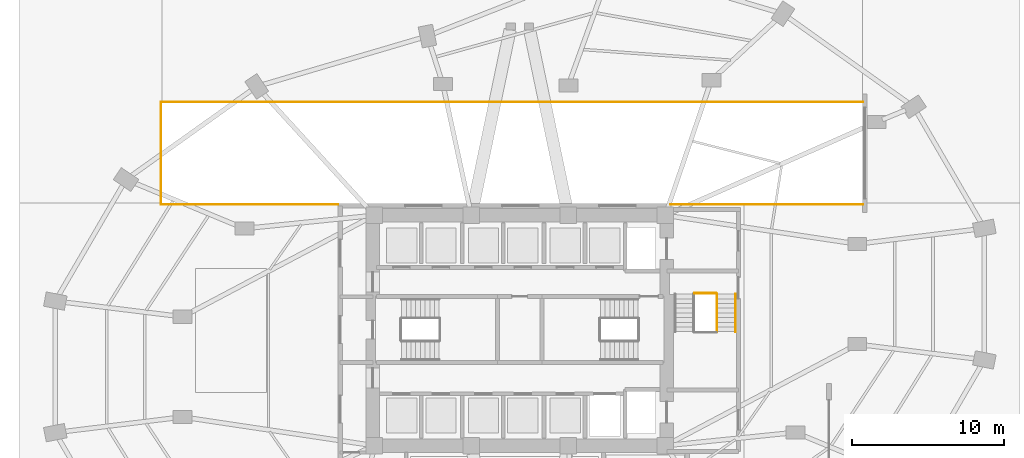
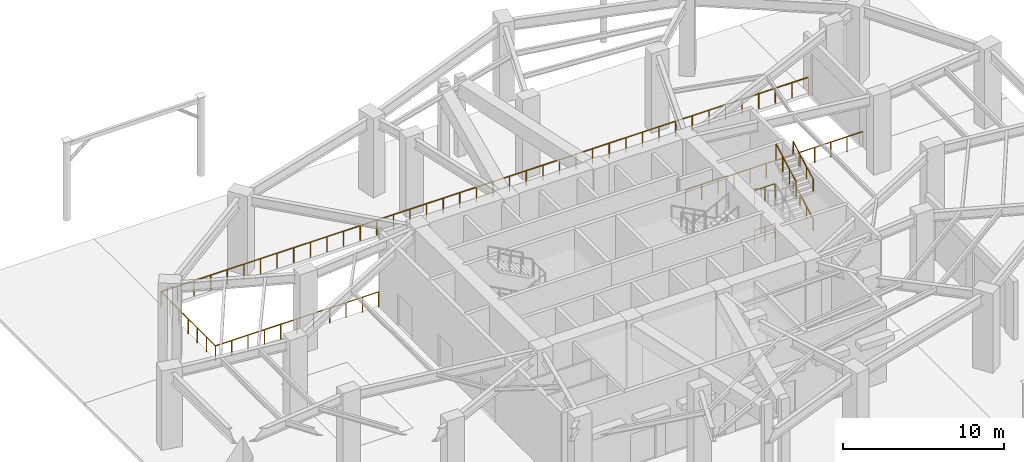
# One storey, part 13 of 14: 9 railings.
"""IFC4 building model written with IfcOpenShell, lengths in metres."""

from ifc_helpers import new_model, si_unit, direction, frame, origin, origin_2d, place, context, subcontext, project, spatial, circle, extrude, material, type_object, element, save


model = new_model("IFC4")

# Units and contexts
model_context = context("Model", 3, precision=1e-05, world=origin(), true_north=direction((0.0, 1.0)))
body_context = subcontext(model_context, "Body", "Model", "MODEL_VIEW")
ifc_project = project(units=[si_unit("LENGTHUNIT", "METRE"), si_unit("AREAUNIT", "SQUARE_METRE"), si_unit("VOLUMEUNIT", "CUBIC_METRE"), si_unit("PLANEANGLEUNIT", "RADIAN"), si_unit("MASSUNIT", "GRAM", prefix="KILO")], contexts=[model_context])

# Site, building, storey
site_placement = place(None, origin())
site = spatial("IfcSite", under=ifc_project, at=site_placement, CompositionType="ELEMENT")
building_placement = place(site_placement, origin())
building = spatial("IfcBuilding", under=site, at=building_placement, Name="Lazwardi Medical Tower", CompositionType="ELEMENT")
storey_placement = place(building_placement, origin())
storey = spatial("IfcBuildingStorey", under=building, at=storey_placement, Name="L00", CompositionType="ELEMENT", Elevation=0.0)

# Railings
ifc_material = material(Name="Stainless steel Grade 316", Category="steel")
railing_type_1 = type_object("IfcRailingType", Name="RLG-GRD-1150", PredefinedType="GUARDRAIL", material=ifc_material)
railing_1_placement = place(storey_placement, frame((47.52001953125, 30.449951171875, 3.0)))
element("IfcRailing", 1, at=railing_1_placement, inside=storey, type_object=railing_type_1, Name="L00 ST3 stair guard 4", PredefinedType="GUARDRAIL", context=body_context, shape_type="SweptSolid", body=[
    extrude(circle(Radius=0.02392578125, at=origin_2d()), frame((0.0, 0.0, 1.1259765625), z_axis=(1.0, 0.0, 0.0), x_axis=(0.0, 1.0, 0.0)), (0.0, 0.0, 1.0), 1.43994140625),
    extrude(circle(Radius=0.02099609375, at=origin_2d()), origin(), (0.0, 0.0, 1.0), 1.099853515625),
    extrude(circle(Radius=0.02099609375, at=origin_2d()), frame((0.719970703125, 0.0, 0.0)), (0.0, 0.0, 1.0), 1.099853515625),
    extrude(circle(Radius=0.02099609375, at=origin_2d()), frame((1.43994140625, 0.0, 0.0)), (0.0, 0.0, 1.0), 1.099853515625),
])
railing_2_placement = place(storey_placement, frame((49.010009765625, 27.919921875, 4.666748046875)))
element("IfcRailing", 2, at=railing_2_placement, inside=storey, type_object=railing_type_1, Name="L00 ST3 stair guard 7", PredefinedType="GUARDRAIL", context=body_context, shape_type="SweptSolid", body=[
    extrude(circle(Radius=0.02392578125, at=origin_2d()), frame((0.0, 0.0, 1.1259765625), z_axis=(0.0, 0.880785522881, 0.473515430248), x_axis=(-1.0, 0.0, 0.0)), (0.0, 0.0, 1.0), 2.815673828125),
    extrude(circle(Radius=0.02099609375, at=origin_2d()), origin(), (0.0, 0.0, 1.0), 1.099853515625),
    extrude(circle(Radius=0.02099609375, at=origin_2d()), frame((0.0, 0.82666015625, 0.4443359375)), (0.0, 0.0, 1.0), 1.099853515625),
    extrude(circle(Radius=0.02099609375, at=origin_2d()), frame((0.0, 1.6533203125, 0.888916015625)), (0.0, 0.0, 1.0), 1.099853515625),
    extrude(circle(Radius=0.02099609375, at=origin_2d()), frame((0.0, 2.47998046875, 1.333251953125)), (0.0, 0.0, 1.0), 1.099853515625),
])
railing_3_placement = place(storey_placement, frame((47.52001953125, 30.449951171875, 0.0)))
element("IfcRailing", 3, at=railing_3_placement, inside=storey, type_object=railing_type_1, Name="L00 ST3 stair guard 8", PredefinedType="GUARDRAIL", context=body_context, shape_type="SweptSolid", body=[
    extrude(circle(Radius=0.02392578125, at=origin_2d()), frame((0.0, 0.0, 1.1259765625), z_axis=(1.0, 0.0, 0.0), x_axis=(0.0, 1.0, 0.0)), (0.0, 0.0, 1.0), 1.43994140625),
    extrude(circle(Radius=0.02099609375, at=origin_2d()), origin(), (0.0, 0.0, 1.0), 1.099853515625),
    extrude(circle(Radius=0.02099609375, at=origin_2d()), frame((0.719970703125, 0.0, 0.0)), (0.0, 0.0, 1.0), 1.099853515625),
    extrude(circle(Radius=0.02099609375, at=origin_2d()), frame((1.43994140625, 0.0, 0.0)), (0.0, 0.0, 1.0), 1.099853515625),
])
railing_4_placement = place(storey_placement, frame((24.0, 36.320068359375, 0.0)))
element("IfcRailing", 4, at=railing_4_placement, inside=storey, type_object=railing_type_1, Name="L00 Car Park Ramp Void Perimeter Guard S_W", PredefinedType="GUARDRAIL", context=body_context, shape_type="SweptSolid", body=[
    extrude(circle(Radius=0.02392578125, at=origin_2d()), frame((0.0, 0.0, 1.1259765625), z_axis=(-1.0, 0.0, 0.0), x_axis=(0.0, -1.0, 0.0)), (0.0, 0.0, 1.0), 11.679931640625),
    extrude(circle(Radius=0.02099609375, at=origin_2d()), origin(), (0.0, 0.0, 1.0), 1.099853515625),
    extrude(circle(Radius=0.02099609375, at=origin_2d()), frame((-1.16796875, 0.0, 0.0)), (0.0, 0.0, 1.0), 1.099853515625),
    extrude(circle(Radius=0.02099609375, at=origin_2d()), frame((-2.3359375, 0.0, 0.0)), (0.0, 0.0, 1.0), 1.099853515625),
    extrude(circle(Radius=0.02099609375, at=origin_2d()), frame((-3.50390625, 0.0, 0.0)), (0.0, 0.0, 1.0), 1.099853515625),
    extrude(circle(Radius=0.02099609375, at=origin_2d()), frame((-4.671875, 0.0, 0.0)), (0.0, 0.0, 1.0), 1.099853515625),
    extrude(circle(Radius=0.02099609375, at=origin_2d()), frame((-5.83984375, 0.0, 0.0)), (0.0, 0.0, 1.0), 1.099853515625),
    extrude(circle(Radius=0.02099609375, at=origin_2d()), frame((-7.008056640625, 0.0, 0.0)), (0.0, 0.0, 1.0), 1.099853515625),
    extrude(circle(Radius=0.02099609375, at=origin_2d()), frame((-8.176025390625, 0.0, 0.0)), (0.0, 0.0, 1.0), 1.099853515625),
    extrude(circle(Radius=0.02099609375, at=origin_2d()), frame((-9.343994140625, 0.0, 0.0)), (0.0, 0.0, 1.0), 1.099853515625),
    extrude(circle(Radius=0.02099609375, at=origin_2d()), frame((-10.511962890625, 0.0, 0.0)), (0.0, 0.0, 1.0), 1.099853515625),
    extrude(circle(Radius=0.02099609375, at=origin_2d()), frame((-11.679931640625, 0.0, 0.0)), (0.0, 0.0, 1.0), 1.099853515625),
])
railing_5_placement = place(storey_placement, frame((58.64990234375, 36.320068359375, 0.0)))
element("IfcRailing", 5, at=railing_5_placement, inside=storey, type_object=railing_type_1, Name="L00 Car Park Ramp Void Perimeter Guard S_E", PredefinedType="GUARDRAIL", context=body_context, shape_type="SweptSolid", body=[
    extrude(circle(Radius=0.02392578125, at=origin_2d()), frame((0.0, 0.0, 1.1259765625), z_axis=(-1.0, 0.0, 0.0), x_axis=(0.0, -1.0, 0.0)), (0.0, 0.0, 1.0), 12.699951171875),
    extrude(circle(Radius=0.02099609375, at=origin_2d()), origin(), (0.0, 0.0, 1.0), 1.099853515625),
    extrude(circle(Radius=0.02099609375, at=origin_2d()), frame((-1.154541015625, 0.0, 0.0)), (0.0, 0.0, 1.0), 1.099853515625),
    extrude(circle(Radius=0.02099609375, at=origin_2d()), frame((-2.30908203125, 0.0, 0.0)), (0.0, 0.0, 1.0), 1.099853515625),
    extrude(circle(Radius=0.02099609375, at=origin_2d()), frame((-3.463623046875, 0.0, 0.0)), (0.0, 0.0, 1.0), 1.099853515625),
    extrude(circle(Radius=0.02099609375, at=origin_2d()), frame((-4.6181640625, 0.0, 0.0)), (0.0, 0.0, 1.0), 1.099853515625),
    extrude(circle(Radius=0.02099609375, at=origin_2d()), frame((-5.772705078125, 0.0, 0.0)), (0.0, 0.0, 1.0), 1.099853515625),
    extrude(circle(Radius=0.02099609375, at=origin_2d()), frame((-6.92724609375, 0.0, 0.0)), (0.0, 0.0, 1.0), 1.099853515625),
    extrude(circle(Radius=0.02099609375, at=origin_2d()), frame((-8.081787109375, 0.0, 0.0)), (0.0, 0.0, 1.0), 1.099853515625),
    extrude(circle(Radius=0.02099609375, at=origin_2d()), frame((-9.236328125, 0.0, 0.0)), (0.0, 0.0, 1.0), 1.099853515625),
    extrude(circle(Radius=0.02099609375, at=origin_2d()), frame((-10.390869140625, 0.0, 0.0)), (0.0, 0.0, 1.0), 1.099853515625),
    extrude(circle(Radius=0.02099609375, at=origin_2d()), frame((-11.54541015625, 0.0, 0.0)), (0.0, 0.0, 1.0), 1.099853515625),
    extrude(circle(Radius=0.02099609375, at=origin_2d()), frame((-12.699951171875, 0.0, 0.0)), (0.0, 0.0, 1.0), 1.099853515625),
])
railing_6_placement = place(storey_placement, frame((12.320068359375, 36.320068359375, 0.0)))
element("IfcRailing", 6, at=railing_6_placement, inside=storey, type_object=railing_type_1, Name="L00 Car Park Ramp Void Perimeter Guard W", PredefinedType="GUARDRAIL", context=body_context, shape_type="SweptSolid", body=[
    extrude(circle(Radius=0.02392578125, at=origin_2d()), frame((0.0, 0.0, 1.1259765625), z_axis=(0.0, 1.0, 0.0), x_axis=(-1.0, 0.0, 0.0)), (0.0, 0.0, 1.0), 6.760009765625),
    extrude(circle(Radius=0.02099609375, at=origin_2d()), origin(), (0.0, 0.0, 1.0), 1.099853515625),
    extrude(circle(Radius=0.02099609375, at=origin_2d()), frame((0.0, 1.126708984375, 0.0)), (0.0, 0.0, 1.0), 1.099853515625),
    extrude(circle(Radius=0.02099609375, at=origin_2d()), frame((0.0, 2.25341796875, 0.0)), (0.0, 0.0, 1.0), 1.099853515625),
    extrude(circle(Radius=0.02099609375, at=origin_2d()), frame((0.0, 3.3798828125, 0.0)), (0.0, 0.0, 1.0), 1.099853515625),
    extrude(circle(Radius=0.02099609375, at=origin_2d()), frame((0.0, 4.506591796875, 0.0)), (0.0, 0.0, 1.0), 1.099853515625),
    extrude(circle(Radius=0.02099609375, at=origin_2d()), frame((0.0, 5.63330078125, 0.0)), (0.0, 0.0, 1.0), 1.099853515625),
    extrude(circle(Radius=0.02099609375, at=origin_2d()), frame((0.0, 6.760009765625, 0.0)), (0.0, 0.0, 1.0), 1.099853515625),
])
railing_7_placement = place(storey_placement, frame((12.320068359375, 43.080078125, 0.0)))
element("IfcRailing", 7, at=railing_7_placement, inside=storey, type_object=railing_type_1, Name="L00 Car Park Ramp Void Perimeter Guard N", PredefinedType="GUARDRAIL", context=body_context, shape_type="SweptSolid", body=[
    extrude(circle(Radius=0.02392578125, at=origin_2d()), frame((0.0, 0.0, 1.1259765625), z_axis=(1.0, 0.0, 0.0), x_axis=(0.0, 1.0, 0.0)), (0.0, 0.0, 1.0), 46.329833984375),
    extrude(circle(Radius=0.02099609375, at=origin_2d()), origin(), (0.0, 0.0, 1.0), 1.099853515625),
    extrude(circle(Radius=0.02099609375, at=origin_2d()), frame((1.18798828125, 0.0, 0.0)), (0.0, 0.0, 1.0), 1.099853515625),
    extrude(circle(Radius=0.02099609375, at=origin_2d()), frame((2.3759765625, 0.0, 0.0)), (0.0, 0.0, 1.0), 1.099853515625),
    extrude(circle(Radius=0.02099609375, at=origin_2d()), frame((3.563720703125, 0.0, 0.0)), (0.0, 0.0, 1.0), 1.099853515625),
    extrude(circle(Radius=0.02099609375, at=origin_2d()), frame((4.751708984375, 0.0, 0.0)), (0.0, 0.0, 1.0), 1.099853515625),
    extrude(circle(Radius=0.02099609375, at=origin_2d()), frame((5.939697265625, 0.0, 0.0)), (0.0, 0.0, 1.0), 1.099853515625),
    extrude(circle(Radius=0.02099609375, at=origin_2d()), frame((7.127685546875, 0.0, 0.0)), (0.0, 0.0, 1.0), 1.099853515625),
    extrude(circle(Radius=0.02099609375, at=origin_2d()), frame((8.315673828125, 0.0, 0.0)), (0.0, 0.0, 1.0), 1.099853515625),
    extrude(circle(Radius=0.02099609375, at=origin_2d()), frame((9.503662109375, 0.0, 0.0)), (0.0, 0.0, 1.0), 1.099853515625),
    extrude(circle(Radius=0.02099609375, at=origin_2d()), frame((10.69140625, 0.0, 0.0)), (0.0, 0.0, 1.0), 1.099853515625),
    extrude(circle(Radius=0.02099609375, at=origin_2d()), frame((11.87939453125, 0.0, 0.0)), (0.0, 0.0, 1.0), 1.099853515625),
    extrude(circle(Radius=0.02099609375, at=origin_2d()), frame((13.0673828125, 0.0, 0.0)), (0.0, 0.0, 1.0), 1.099853515625),
    extrude(circle(Radius=0.02099609375, at=origin_2d()), frame((14.25537109375, 0.0, 0.0)), (0.0, 0.0, 1.0), 1.099853515625),
    extrude(circle(Radius=0.02099609375, at=origin_2d()), frame((15.443359375, 0.0, 0.0)), (0.0, 0.0, 1.0), 1.099853515625),
    extrude(circle(Radius=0.02099609375, at=origin_2d()), frame((16.631103515625, 0.0, 0.0)), (0.0, 0.0, 1.0), 1.099853515625),
    extrude(circle(Radius=0.02099609375, at=origin_2d()), frame((17.819091796875, 0.0, 0.0)), (0.0, 0.0, 1.0), 1.099853515625),
    extrude(circle(Radius=0.02099609375, at=origin_2d()), frame((19.007080078125, 0.0, 0.0)), (0.0, 0.0, 1.0), 1.099853515625),
    extrude(circle(Radius=0.02099609375, at=origin_2d()), frame((20.195068359375, 0.0, 0.0)), (0.0, 0.0, 1.0), 1.099853515625),
    extrude(circle(Radius=0.02099609375, at=origin_2d()), frame((21.383056640625, 0.0, 0.0)), (0.0, 0.0, 1.0), 1.099853515625),
    extrude(circle(Radius=0.02099609375, at=origin_2d()), frame((22.571044921875, 0.0, 0.0)), (0.0, 0.0, 1.0), 1.099853515625),
    extrude(circle(Radius=0.02099609375, at=origin_2d()), frame((23.7587890625, 0.0, 0.0)), (0.0, 0.0, 1.0), 1.099853515625),
    extrude(circle(Radius=0.02099609375, at=origin_2d()), frame((24.94677734375, 0.0, 0.0)), (0.0, 0.0, 1.0), 1.099853515625),
    extrude(circle(Radius=0.02099609375, at=origin_2d()), frame((26.134765625, 0.0, 0.0)), (0.0, 0.0, 1.0), 1.099853515625),
    extrude(circle(Radius=0.02099609375, at=origin_2d()), frame((27.32275390625, 0.0, 0.0)), (0.0, 0.0, 1.0), 1.099853515625),
    extrude(circle(Radius=0.02099609375, at=origin_2d()), frame((28.5107421875, 0.0, 0.0)), (0.0, 0.0, 1.0), 1.099853515625),
    extrude(circle(Radius=0.02099609375, at=origin_2d()), frame((29.69873046875, 0.0, 0.0)), (0.0, 0.0, 1.0), 1.099853515625),
    extrude(circle(Radius=0.02099609375, at=origin_2d()), frame((30.886474609375, 0.0, 0.0)), (0.0, 0.0, 1.0), 1.099853515625),
    extrude(circle(Radius=0.02099609375, at=origin_2d()), frame((32.074462890625, 0.0, 0.0)), (0.0, 0.0, 1.0), 1.099853515625),
    extrude(circle(Radius=0.02099609375, at=origin_2d()), frame((33.262451171875, 0.0, 0.0)), (0.0, 0.0, 1.0), 1.099853515625),
    extrude(circle(Radius=0.02099609375, at=origin_2d()), frame((34.450439453125, 0.0, 0.0)), (0.0, 0.0, 1.0), 1.099853515625),
    extrude(circle(Radius=0.02099609375, at=origin_2d()), frame((35.638427734375, 0.0, 0.0)), (0.0, 0.0, 1.0), 1.099853515625),
    extrude(circle(Radius=0.02099609375, at=origin_2d()), frame((36.826171875, 0.0, 0.0)), (0.0, 0.0, 1.0), 1.099853515625),
    extrude(circle(Radius=0.02099609375, at=origin_2d()), frame((38.01416015625, 0.0, 0.0)), (0.0, 0.0, 1.0), 1.099853515625),
    extrude(circle(Radius=0.02099609375, at=origin_2d()), frame((39.2021484375, 0.0, 0.0)), (0.0, 0.0, 1.0), 1.099853515625),
    extrude(circle(Radius=0.02099609375, at=origin_2d()), frame((40.39013671875, 0.0, 0.0)), (0.0, 0.0, 1.0), 1.099853515625),
    extrude(circle(Radius=0.02099609375, at=origin_2d()), frame((41.578125, 0.0, 0.0)), (0.0, 0.0, 1.0), 1.099853515625),
    extrude(circle(Radius=0.02099609375, at=origin_2d()), frame((42.76611328125, 0.0, 0.0)), (0.0, 0.0, 1.0), 1.099853515625),
    extrude(circle(Radius=0.02099609375, at=origin_2d()), frame((43.953857421875, 0.0, 0.0)), (0.0, 0.0, 1.0), 1.099853515625),
    extrude(circle(Radius=0.02099609375, at=origin_2d()), frame((45.141845703125, 0.0, 0.0)), (0.0, 0.0, 1.0), 1.099853515625),
    extrude(circle(Radius=0.02099609375, at=origin_2d()), frame((46.329833984375, 0.0, 0.0)), (0.0, 0.0, 1.0), 1.099853515625),
])
railing_type_2 = type_object("IfcRailingType", Name="RLG-HND-920", PredefinedType="HANDRAIL", material=ifc_material)
for number, where, name in (
    (8, (50.22998046875, 27.919921875, 1.666748046875), "L00 ST3 stair handrail 2"),
    (9, (50.22998046875, 27.919921875, 4.666748046875), "L00 ST3 stair handrail 4"),
):
    element("IfcRailing", number, at=place(storey_placement, frame(where)), inside=storey, type_object=railing_type_2, Name=name, PredefinedType="HANDRAIL", context=body_context, shape_type="SweptSolid", body=[
        extrude(circle(Radius=0.02392578125, at=origin_2d()), frame((0.0, 0.0, 0.8857421875), z_axis=(0.0, 0.880785522881, 0.473515430248), x_axis=(-1.0, 0.0, 0.0)), (0.0, 0.0, 1.0), 2.815673828125),
        extrude(circle(Radius=0.02099609375, at=origin_2d()), origin(), (0.0, 0.0, 1.0), 0.85986328125),
        extrude(circle(Radius=0.02099609375, at=origin_2d()), frame((0.0, 0.82666015625, 0.4443359375)), (0.0, 0.0, 1.0), 0.85986328125),
        extrude(circle(Radius=0.02099609375, at=origin_2d()), frame((0.0, 1.6533203125, 0.888916015625)), (0.0, 0.0, 1.0), 0.85986328125),
        extrude(circle(Radius=0.02099609375, at=origin_2d()), frame((0.0, 2.47998046875, 1.333251953125)), (0.0, 0.0, 1.0), 0.85986328125),
    ])

save(model, "model.ifc")
